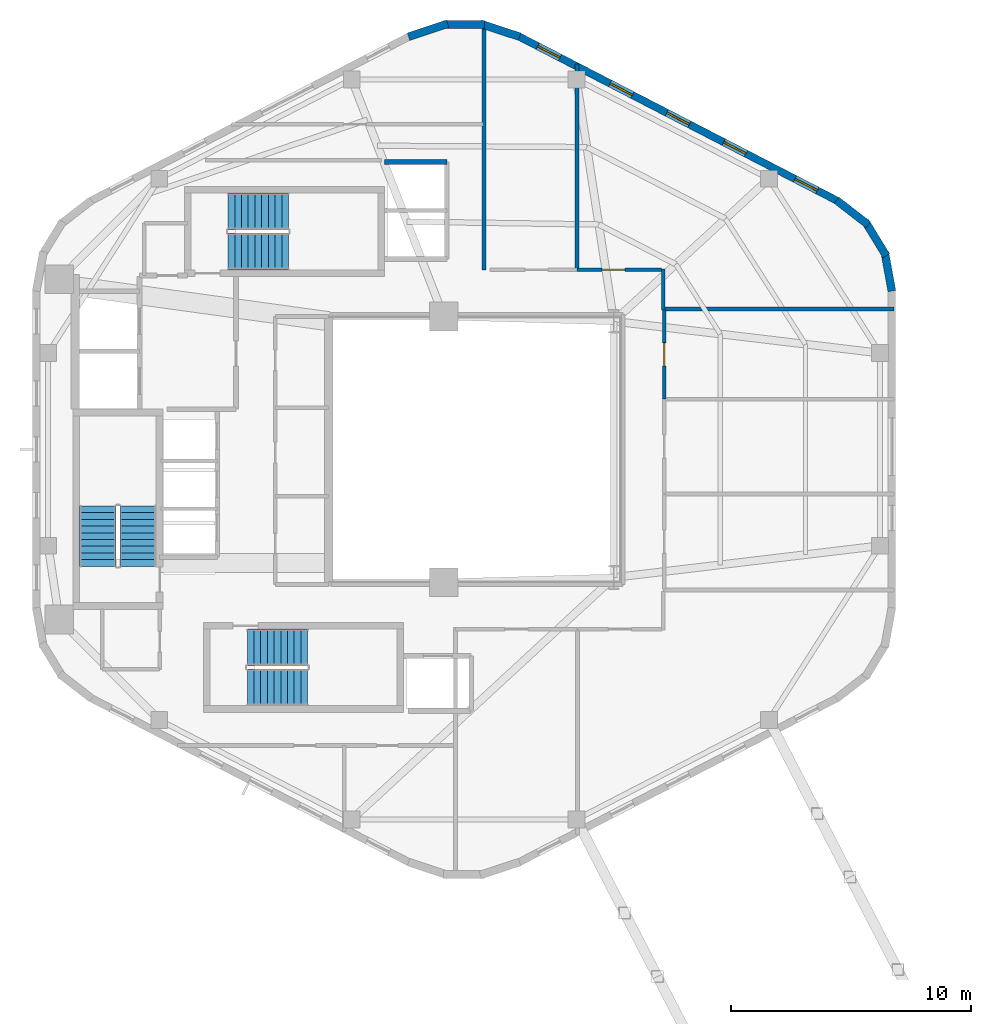
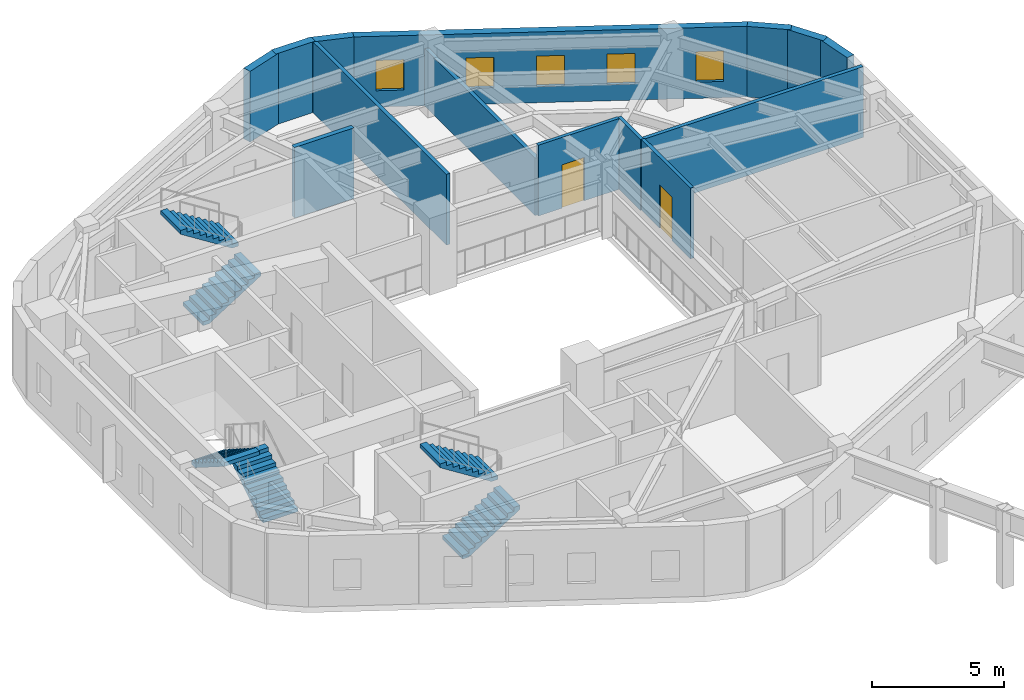
# One storey, part 5 of 6: 14 walls, 6 stair flights, 5 windows, 2 doors, 7 openings, 3 elements without a shape of their own.
"""IFC4 building model written with IfcOpenShell, lengths in metres."""

import ifcopenshell
import ifcopenshell.guid

model = None  # the IFC model being written
_history = None  # IfcOwnerHistory: only IFC2X3 demands one
_inside = {}  # id of a spatial element -> (the spatial element, [elements in it])
_under = {}  # id of a project, library or spatial element -> (it, [spatial elements below it])
_declared = {}  # id of a project -> (the project, [libraries it declares])
_typed = {}  # id of a type object -> (the type object, [elements of that type])
_made_of = {}  # id of a material, layer set ... -> (it, [elements and type objects made of it])


def new_model(schema):
    """Start an empty IFC model of exactly this schema.

    Asked for "IFC4X3", IfcOpenShell would pick the latest addendum, in which some entities
    have other attributes; the version numbers below select the first issue.
    IFC2X3 requires an IfcOwnerHistory on every rooted entity: one is made here for all.
    """
    global model, _history
    if schema == "IFC4X3":
        model = ifcopenshell.file(schema_version=(4, 3, 0, 0))
    else:
        model = ifcopenshell.file(schema=schema)
    _inside.clear()
    _under.clear()
    _declared.clear()
    _typed.clear()
    _made_of.clear()
    _history = None
    if model.schema == "IFC2X3":
        org = make("IfcOrganization", Name="unknown")
        user = make(
            "IfcPersonAndOrganization",
            ThePerson=make("IfcPerson", FamilyName="unknown"),
            TheOrganization=org,
        )
        app = make(
            "IfcApplication",
            ApplicationDeveloper=org,
            Version="unknown",
            ApplicationFullName="unknown",
            ApplicationIdentifier="unknown",
        )
        _history = make(
            "IfcOwnerHistory",
            OwningUser=user,
            OwningApplication=app,
            ChangeAction="ADDED",
            CreationDate=0,
        )
    return model


def make(cls, **values):
    """One entity of the class cls with the attributes given. An attribute that is None is left unset."""
    return model.create_entity(
        cls, **{name: value for name, value in values.items() if value is not None}
    )


def rooted(cls, **values):
    """An entity with a GlobalId (a new one), such as an element, a storey or a relation."""
    return make(cls, GlobalId=ifcopenshell.guid.new(), OwnerHistory=_history, **values)


def si_unit(unit_type, name, prefix=None):
    """IfcSIUnit, for example si_unit("LENGTHUNIT", "METRE", prefix="MILLI")."""
    return make("IfcSIUnit", UnitType=unit_type, Prefix=prefix, Name=name)


def assignment(units):
    """IfcUnitAssignment: the units of a project."""
    return None if units is None else make("IfcUnitAssignment", Units=units)


def point(xyz):
    """IfcCartesianPoint."""
    return None if xyz is None else make("IfcCartesianPoint", Coordinates=xyz)


def direction(xyz):
    """IfcDirection."""
    return None if xyz is None else make("IfcDirection", DirectionRatios=xyz)


def frame(location, z_axis=None, x_axis=None):
    """IfcAxis2Placement3D, a coordinate frame: its origin and axes. An axis left out is left unset."""
    return make(
        "IfcAxis2Placement3D",
        Location=point(location),
        Axis=direction(z_axis),
        RefDirection=direction(x_axis),
    )


def frame_2d(location, x_axis=None):
    """IfcAxis2Placement2D, a coordinate frame in the plane: its origin and x axis."""
    return make(
        "IfcAxis2Placement2D", Location=point(location), RefDirection=direction(x_axis)
    )


def origin():
    """The frame at (0, 0, 0) with its axes left unset."""
    return frame((0.0, 0.0, 0.0))


def place(relative_to, where):
    """IfcLocalPlacement: puts the frame where relative to a parent placement (None: the world)."""
    return make(
        "IfcLocalPlacement", PlacementRelTo=relative_to, RelativePlacement=where
    )


def context(
    kind, dimensions, precision=None, world=None, true_north=None, identifier=None
):
    """IfcGeometricRepresentationContext, for example the 3D "Model" context."""
    return make(
        "IfcGeometricRepresentationContext",
        ContextIdentifier=identifier,
        ContextType=kind,
        CoordinateSpaceDimension=dimensions,
        Precision=precision,
        WorldCoordinateSystem=world,
        TrueNorth=true_north,
    )


def subcontext(parent, identifier, kind, view, scale=None):
    """IfcGeometricRepresentationSubContext, for example "Body" below "Model"."""
    return make(
        "IfcGeometricRepresentationSubContext",
        ContextIdentifier=identifier,
        ContextType=kind,
        ParentContext=parent,
        TargetScale=scale,
        TargetView=view,
    )


def project(units=None, contexts=None):
    """IfcProject with its units and contexts."""
    return rooted(
        "IfcProject",
        Name="project",
        RepresentationContexts=contexts,
        UnitsInContext=assignment(units),
    )


def spatial(cls, under=None, at=None, **own):
    """A site, building, storey or space (cls), placed at a placement, below another one or the project."""
    s = rooted(cls, ObjectPlacement=at, **own)
    if under is not None:
        _under.setdefault(under.id(), (under, []))[1].append(s)
    return s


def polyline(points):
    """IfcPolyline through the points."""
    return make("IfcPolyline", Points=[point(p) for p in points])


def profile(cls, at=None, kind="AREA", **sizes):
    """A parametric profile (cls). Its sizes go by their IFC names, for example OverallWidth=200.0."""
    return make(cls, ProfileType=kind, Position=at, **sizes)


def rectangle(**sizes):
    """IfcRectangleProfileDef."""
    return profile("IfcRectangleProfileDef", **sizes)


def outline(outer, holes=None, kind="AREA"):
    """IfcArbitraryClosedProfileDef: a profile drawn as a closed curve; with holes, ...WithVoids."""
    if holes is None:
        return make("IfcArbitraryClosedProfileDef", ProfileType=kind, OuterCurve=outer)
    return make(
        "IfcArbitraryProfileDefWithVoids",
        ProfileType=kind,
        OuterCurve=outer,
        InnerCurves=holes,
    )


def extrude(swept, where, along, depth):
    """IfcExtrudedAreaSolid: the profile swept, set in the frame where, extruded along a direction by depth."""
    return make(
        "IfcExtrudedAreaSolid",
        SweptArea=swept,
        Position=where,
        ExtrudedDirection=direction(along),
        Depth=depth,
    )


def shape(context_of_items, identifier, shape_type, items):
    """IfcShapeRepresentation: the items that make up one representation, for example the "Body"."""
    return make(
        "IfcShapeRepresentation",
        ContextOfItems=context_of_items,
        RepresentationIdentifier=identifier,
        RepresentationType=shape_type,
        Items=items,
    )


def material(Name=None, Category=None):
    """IfcMaterial."""
    return make("IfcMaterial", Name=Name, Category=Category)


def layer(
    of_material, thickness, ventilated=None, Name=None, Category=None, Priority=None
):
    """IfcMaterialLayer: one layer of a wall or slab, of a material (None: an air gap)."""
    return make(
        "IfcMaterialLayer",
        Material=of_material,
        LayerThickness=thickness,
        IsVentilated=ventilated,
        Name=Name,
        Category=Category,
        Priority=Priority,
    )


def layer_set(layers, Name=None):
    """IfcMaterialLayerSet."""
    return make("IfcMaterialLayerSet", MaterialLayers=layers, LayerSetName=Name)


def made_of(thing, what):
    """Note that an element or type object is made of a material, layer set ...; save() writes the relation."""
    if what is not None:
        _made_of.setdefault(what.id(), (what, []))[1].append(thing)
    return thing


def type_object(cls, material=None, **own):
    """A type object (cls), such as IfcWallType, which elements share."""
    return made_of(rooted(cls, **own), material)


def element(
    cls,
    number,
    at=None,
    inside=None,
    cuts=None,
    type_object=None,
    material=None,
    context=None,
    identifier="Body",
    shape_type=None,
    held_by="IfcProductDefinitionShape",
    body=None,
    shapes=None,
    **own,
):
    """One element of the class cls, such as IfcWall. Its Tag is "e" and its number.

    at: its placement. inside: the storey or other place that contains it. cuts: it is an
    opening in that element (IfcRelVoidsElement). A single representation is given by context,
    identifier, shape_type and body (its items); several are given by shapes. held_by: the class
    of the entity that holds the representations. save() writes the other relations.
    """
    e = rooted(cls, Tag="e%d" % number, ObjectPlacement=at, **own)
    if body is not None:
        shapes = [shape(context, identifier, shape_type, body)]
    if shapes is not None:
        e.Representation = make(held_by, Representations=shapes)
    if inside is not None:
        _inside.setdefault(inside.id(), (inside, []))[1].append(e)
    if cuts is not None:
        rooted(
            "IfcRelVoidsElement", RelatingBuildingElement=cuts, RelatedOpeningElement=e
        )
    if type_object is not None:
        _typed.setdefault(type_object.id(), (type_object, []))[1].append(e)
    return made_of(e, material)


def fill(opening, filler):
    """IfcRelFillsElement: the door or window that sits in an opening."""
    return rooted(
        "IfcRelFillsElement",
        RelatingOpeningElement=opening,
        RelatedBuildingElement=filler,
    )


def aggregate(whole, parts):
    """IfcRelAggregates: a whole, such as a stair, and the parts it consists of."""
    return rooted("IfcRelAggregates", RelatingObject=whole, RelatedObjects=parts)


def save(model, path):
    """Write the relations noted so far, then the file.

    IfcRelAggregates (storeys below a building ...), IfcRelContainedInSpatialStructure (elements
    in a storey), IfcRelDefinesByType, IfcRelAssociatesMaterial and IfcRelDeclares: one each for
    every whole, place, type object, material and project.
    """
    for whole, parts in _under.values():
        aggregate(whole, parts)
    for where, things in _inside.values():
        rooted(
            "IfcRelContainedInSpatialStructure",
            RelatedElements=things,
            RelatingStructure=where,
        )
    for kind, things in _typed.values():
        rooted("IfcRelDefinesByType", RelatedObjects=things, RelatingType=kind)
    for what, things in _made_of.values():
        rooted("IfcRelAssociatesMaterial", RelatedObjects=things, RelatingMaterial=what)
    for by, libraries in _declared.values():
        rooted("IfcRelDeclares", RelatingContext=by, RelatedDefinitions=libraries)
    model.write(path)


model = new_model("IFC4")

# Units and contexts
model_context = context("Model", 3, precision=1e-05, world=origin(), true_north=direction((0.0, 1.0)))
body_context = subcontext(model_context, "Body", "Model", "MODEL_VIEW")
ifc_project = project(units=[si_unit("LENGTHUNIT", "METRE"), si_unit("AREAUNIT", "SQUARE_METRE"), si_unit("VOLUMEUNIT", "CUBIC_METRE"), si_unit("PLANEANGLEUNIT", "RADIAN"), si_unit("MASSUNIT", "GRAM", prefix="KILO"), si_unit("THERMODYNAMICTEMPERATUREUNIT", "KELVIN"), si_unit("POWERUNIT", "WATT")], contexts=[model_context])

# Site, building, storey
site_placement = place(None, origin())
site = spatial("IfcSite", under=ifc_project, at=site_placement, CompositionType="ELEMENT")
building_placement = place(site_placement, origin())
building = spatial("IfcBuilding", under=site, at=building_placement, Name="Skarre Station Tower", CompositionType="ELEMENT")
storey_placement = place(building_placement, frame((0.0, 0.0, 231.25)))
storey = spatial("IfcBuildingStorey", under=building, at=storey_placement, Name="L63", CompositionType="ELEMENT", Elevation=231.25)

# Wall
ifc_material_1 = material(Name="Acoustic Steel-Stud Gypsum Partition", Category="steel")
ifc_layer_1 = layer(ifc_material_1, 0.14990234375, Name="Acoustic Steel-Stud Gypsum Partition")
ifc_layer_set_1 = layer_set([ifc_layer_1], Name="Acoustic Steel-Stud Gypsum Partition")
wall_type_1 = type_object("IfcWallType", Name="Fire-Rated Corridor Acoustic Partition 150", PredefinedType="PARTITIONING", material=ifc_layer_set_1)
wall_1_placement = place(storey_placement, frame((41.52001953125, 29.820068359375, 0.0), z_axis=(0.0, 0.0, 1.0), x_axis=(0.0, 1.0, 0.0)))
element("IfcWall", 1, at=wall_1_placement, inside=storey, type_object=wall_type_1, Name="L63 Interior Partition WL-PT-L63-CORR-NER", PredefinedType="PARTITIONING", context=body_context, shape_type="SweptSolid", body=[
    extrude(rectangle(XDim=1.719970703125, YDim=0.14990234375, at=frame_2d((0.85986328125, 0.0))), origin(), (0.0, 0.0, 1.0), 3.260009765625),
])

# Wall, opening, door
wall_2_placement = place(storey_placement, frame((41.449951171875, 31.5, 0.0), z_axis=(0.0, 0.0, 1.0), x_axis=(-1.0, 0.0, 0.0)))
wall_2 = element("IfcWall", 2, at=wall_2_placement, inside=storey, type_object=wall_type_1, Name="L63 Interior Partition WL-PT-L63-NW2-CW", PredefinedType="PARTITIONING", context=body_context, shape_type="SweptSolid", body=[
    extrude(rectangle(XDim=3.52783203125, YDim=0.14990234375, at=frame_2d((1.763916015625, 0.0))), origin(), (0.0, 0.0, 1.0), 3.260009765625),
])
opening_1_placement = place(wall_2_placement, frame((1.52392578125, 0.0, 0.0)))
opening_1 = element("IfcOpeningElement", 3, at=opening_1_placement, cuts=wall_2, Name="Opening DR-FD60", PredefinedType="OPENING", context=body_context, shape_type="SweptSolid", body=[
    extrude(rectangle(XDim=0.9599609375, YDim=2.0, at=frame_2d((0.47998046875, 1.0))), frame((0.0, 0.0849609375, 0.0), z_axis=(0.0, -1.0, 0.0), x_axis=(1.0, 0.0, 0.0)), (0.0, 0.0, 1.0), 0.169921875),
])
ifc_material_2 = material(Name="Nordic White-Oak Veneer Solid-Core Fire Leaf", Category="wood")
door_type = type_object("IfcDoorType", Name="Corridor Suite Entry Fire Door FD60 960x2150", OperationType="SINGLE_SWING_LEFT", PredefinedType="DOOR", material=ifc_material_2)
door_1_placement = place(opening_1_placement, origin())
door_1 = element("IfcDoor", 4, at=door_1_placement, inside=storey, type_object=door_type, Name="L63 NW2 Entry Door", OperationType="SINGLE_SWING_LEFT", OverallHeight=2.0, OverallWidth=0.9599609375, PredefinedType="DOOR", context=body_context, shape_type="SweptSolid", body=[
    extrude(rectangle(XDim=0.9599609375, YDim=2.0, at=frame_2d((0.47998046875, 1.0))), frame((0.0, 0.02490234375, 0.0), z_axis=(0.0, -1.0, 0.0), x_axis=(1.0, 0.0, 0.0)), (0.0, 0.0, 1.0), 0.050048828125),
])
fill(opening_1, door_1)

wall_3_placement = place(storey_placement, frame((41.56005859375, 26.113037109375, 0.0), z_axis=(0.0, 0.0, 1.0), x_axis=(0.0, 1.0, 0.0)))
wall_3 = element("IfcWall", 5, at=wall_3_placement, inside=storey, type_object=wall_type_1, Name="L63 Interior Partition WL-PT-L63-EW3-CW", PredefinedType="PARTITIONING", context=body_context, shape_type="SweptSolid", body=[
    extrude(rectangle(XDim=3.70703125, YDim=0.14990234375, at=frame_2d((1.853515625, 0.0))), origin(), (0.0, 0.0, 1.0), 3.260009765625),
])
opening_2_placement = place(wall_3_placement, frame((1.3740234375, 0.0, 0.0)))
opening_2 = element("IfcOpeningElement", 6, at=opening_2_placement, cuts=wall_3, Name="Opening DR-FD60", PredefinedType="OPENING", context=body_context, shape_type="SweptSolid", body=[
    extrude(rectangle(XDim=0.9599609375, YDim=2.0, at=frame_2d((0.47998046875, 1.0))), frame((0.0, 0.0849609375, 0.0), z_axis=(0.0, -1.0, 0.0), x_axis=(1.0, 0.0, 0.0)), (0.0, 0.0, 1.0), 0.169921875),
])
door_2_placement = place(opening_2_placement, origin())
door_2 = element("IfcDoor", 7, at=door_2_placement, inside=storey, type_object=door_type, Name="L63 EW3 Entry Door", OperationType="SINGLE_SWING_LEFT", OverallHeight=2.0, OverallWidth=0.9599609375, PredefinedType="DOOR", context=body_context, shape_type="SweptSolid", body=[
    extrude(rectangle(XDim=0.9599609375, YDim=2.0, at=frame_2d((0.47998046875, 1.0))), frame((0.0, 0.02490234375, 0.0), z_axis=(0.0, -1.0, 0.0), x_axis=(1.0, 0.0, 0.0)), (0.0, 0.0, 1.0), 0.050048828125),
])
fill(opening_2, door_2)

# Walls
ifc_material_3 = material(Name="Precast concrete C45/55", Category="concrete")
ifc_layer_2 = layer(ifc_material_3, 0.330078125, Name="Precast concrete C45/55")
ifc_layer_set_2 = layer_set([ifc_layer_2], Name="Precast concrete C45/55")
wall_type_2 = type_object("IfcWallType", Name="Nordic Rounded Corner Precast Wall 330", PredefinedType="STANDARD", material=ifc_layer_set_2)
wall_4_placement = place(storey_placement, frame((48.7529296875, 34.40087890625, 0.0), z_axis=(0.0, 0.0, 1.0), x_axis=(0.790691856293, -0.61221433207, 0.0)))
element("IfcWall", 8, at=wall_4_placement, inside=storey, type_object=wall_type_2, Name="L63 Rounded Corner Precast Wall F0-1", PredefinedType="STANDARD", context=body_context, shape_type="SweptSolid", body=[
    extrude(rectangle(XDim=1.67578125, YDim=0.330078125, at=frame_2d((0.837890625, 0.0))), origin(), (0.0, 0.0, 1.0), 3.260009765625),
])
wall_5_placement = place(storey_placement, frame((49.952880859375, 33.514892578125, 0.0), z_axis=(0.0, 0.0, 1.0), x_axis=(0.520325409202, -0.853968072318, 0.0)))
element("IfcWall", 9, at=wall_5_placement, inside=storey, type_object=wall_type_2, Name="L63 Rounded Corner Precast Wall F0-2", PredefinedType="STANDARD", context=body_context, shape_type="SweptSolid", body=[
    extrude(rectangle(XDim=1.677978515625, YDim=0.330078125, at=frame_2d((0.8388671875, 0.0))), origin(), (0.0, 0.0, 1.0), 3.260009765625),
])
wall_6_placement = place(storey_placement, frame((50.759033203125, 32.257080078125, 0.0), z_axis=(0.0, 0.0, 1.0), x_axis=(0.180691763044, -0.983539773862, 0.0)))
element("IfcWall", 10, at=wall_6_placement, inside=storey, type_object=wall_type_2, Name="L63 Rounded Corner Precast Wall F0-3", PredefinedType="STANDARD", context=body_context, shape_type="SweptSolid", body=[
    extrude(rectangle(XDim=1.6767578125, YDim=0.330078125, at=frame_2d((0.83837890625, 0.0))), origin(), (0.0, 0.0, 1.0), 3.260009765625),
])
wall_7_placement = place(storey_placement, frame((30.882080078125, 41.23095703125, 0.0), z_axis=(0.0, 0.0, 1.0), x_axis=(0.949713440491, 0.313120393699, 0.0)))
element("IfcWall", 11, at=wall_7_placement, inside=storey, type_object=wall_type_2, Name="L63 Rounded Corner Precast Wall F1-1", PredefinedType="STANDARD", context=body_context, shape_type="SweptSolid", body=[
    extrude(rectangle(XDim=1.7216796875, YDim=0.330078125, at=frame_2d((0.86083984375, 0.0))), origin(), (0.0, 0.0, 1.0), 3.260009765625),
])
wall_8_placement = place(storey_placement, frame((32.339111328125, 41.740966796875, 0.0), z_axis=(0.0, 0.0, 1.0), x_axis=(1.0, 0.0, 0.0)))
element("IfcWall", 12, at=wall_8_placement, inside=storey, type_object=wall_type_2, Name="L63 Rounded Corner Precast Wall F1-2", PredefinedType="STANDARD", context=body_context, shape_type="SweptSolid", body=[
    extrude(rectangle(XDim=1.721923828125, YDim=0.330078125, at=frame_2d((0.86083984375, 0.0))), origin(), (0.0, 0.0, 1.0), 3.260009765625),
])
wall_9_placement = place(storey_placement, frame((33.883056640625, 41.77001953125, 0.0), z_axis=(0.0, 0.0, 1.0), x_axis=(0.949713440491, -0.313120393699, 0.0)))
element("IfcWall", 13, at=wall_9_placement, inside=storey, type_object=wall_type_2, Name="L63 Rounded Corner Precast Wall F1-3", PredefinedType="STANDARD", context=body_context, shape_type="SweptSolid", body=[
    extrude(rectangle(XDim=1.7216796875, YDim=0.330078125, at=frame_2d((0.86083984375, 0.0))), origin(), (0.0, 0.0, 1.0), 3.260009765625),
])

# Wall, openings, windows
ifc_layer_3 = layer(ifc_material_3, 0.31005859375, Name="Precast concrete C45/55")
ifc_layer_set_3 = layer_set([ifc_layer_3], Name="Precast concrete C45/55")
wall_type_3 = type_object("IfcWallType", Name="Nordic Upper-Zone Precast Facet Wall 310", PredefinedType="STANDARD", material=ifc_layer_set_3)
wall_10_placement = place(storey_placement, frame((35.43701171875, 41.27001953125, 0.0), z_axis=(0.0, 0.0, 1.0), x_axis=(0.888581481622, -0.458718814218, 0.0)))
wall_10 = element("IfcWall", 14, at=wall_10_placement, inside=storey, type_object=wall_type_3, Name="L63 Facet 0 Nordic Precast Masonry Wall", PredefinedType="STANDARD", context=body_context, shape_type="SweptSolid", body=[
    extrude(rectangle(XDim=15.076904296875, YDim=0.31005859375, at=frame_2d((7.53857421875, 0.0))), origin(), (0.0, 0.0, 1.0), 3.260009765625),
])
opening_3_placement = place(wall_10_placement, frame((0.94189453125, 0.0, 0.75)))
opening_3 = element("IfcOpeningElement", 15, at=opening_3_placement, cuts=wall_10, Name="Opening WN-SLT", PredefinedType="OPENING", context=body_context, shape_type="SweptSolid", body=[
    extrude(rectangle(XDim=1.050048828125, YDim=1.39990234375, at=frame_2d((0.52490234375, 0.699951171875))), frame((0.0, 0.1650390625, 0.0), z_axis=(0.0, -1.0, 0.0), x_axis=(1.0, 0.0, 0.0)), (0.0, 0.0, 1.0), 0.330078125),
])
opening_4_placement = place(wall_10_placement, frame((4.343994140625, 0.0, 0.75)))
opening_4 = element("IfcOpeningElement", 16, at=opening_4_placement, cuts=wall_10, Name="Opening WN-SLT", PredefinedType="OPENING", context=body_context, shape_type="SweptSolid", body=[
    extrude(rectangle(XDim=1.050048828125, YDim=1.39990234375, at=frame_2d((0.52490234375, 0.699951171875))), frame((0.0, 0.1650390625, 0.0), z_axis=(0.0, -1.0, 0.0), x_axis=(1.0, 0.0, 0.0)), (0.0, 0.0, 1.0), 0.330078125),
])
opening_5_placement = place(wall_10_placement, frame((7.012939453125, 0.0, 0.75)))
opening_5 = element("IfcOpeningElement", 17, at=opening_5_placement, cuts=wall_10, Name="Opening WN-SLT", PredefinedType="OPENING", context=body_context, shape_type="SweptSolid", body=[
    extrude(rectangle(XDim=1.050048828125, YDim=1.39990234375, at=frame_2d((0.52490234375, 0.699951171875))), frame((0.0, 0.1650390625, 0.0), z_axis=(0.0, -1.0, 0.0), x_axis=(1.0, 0.0, 0.0)), (0.0, 0.0, 1.0), 0.330078125),
])
opening_6_placement = place(wall_10_placement, frame((9.680908203125, 0.0, 0.75)))
opening_6 = element("IfcOpeningElement", 18, at=opening_6_placement, cuts=wall_10, Name="Opening WN-SLT", PredefinedType="OPENING", context=body_context, shape_type="SweptSolid", body=[
    extrude(rectangle(XDim=1.050048828125, YDim=1.39990234375, at=frame_2d((0.52490234375, 0.699951171875))), frame((0.0, 0.1650390625, 0.0), z_axis=(0.0, -1.0, 0.0), x_axis=(1.0, 0.0, 0.0)), (0.0, 0.0, 1.0), 0.330078125),
])
opening_7_placement = place(wall_10_placement, frame((13.029052734375, 0.0, 0.75)))
opening_7 = element("IfcOpeningElement", 19, at=opening_7_placement, cuts=wall_10, Name="Opening WN-SLT", PredefinedType="OPENING", context=body_context, shape_type="SweptSolid", body=[
    extrude(rectangle(XDim=1.050048828125, YDim=1.39990234375, at=frame_2d((0.52490234375, 0.699951171875))), frame((0.0, 0.1650390625, 0.0), z_axis=(0.0, -1.0, 0.0), x_axis=(1.0, 0.0, 0.0)), (0.0, 0.0, 1.0), 0.330078125),
])
ifc_material_4 = material(Name="Low-Iron Triple Glazing with Bronze Anodized Frame", Category="glass")
window_type = type_object("IfcWindowType", Name="Nordic Corner Slot Window 1050x1400", PartitioningType="SINGLE_PANEL", PredefinedType="WINDOW", material=ifc_material_4)
window_1_placement = place(opening_3_placement, origin())
window_1 = element("IfcWindow", 20, at=window_1_placement, inside=storey, type_object=window_type, Name="L63 Facade Window WL-FAC-L63-F0-1", OverallHeight=1.39990234375, OverallWidth=1.050048828125, PartitioningType="SINGLE_PANEL", PredefinedType="WINDOW", context=body_context, shape_type="SweptSolid", body=[
    extrude(rectangle(XDim=1.050048828125, YDim=1.39990234375, at=frame_2d((0.52490234375, 0.699951171875))), frame((0.0, 0.030029296875, 0.0), z_axis=(0.0, -1.0, 0.0), x_axis=(1.0, 0.0, 0.0)), (0.0, 0.0, 1.0), 0.06005859375),
])
fill(opening_3, window_1)
window_2_placement = place(opening_4_placement, origin())
window_2 = element("IfcWindow", 21, at=window_2_placement, inside=storey, type_object=window_type, Name="L63 Facade Window WL-FAC-L63-F0-2", OverallHeight=1.39990234375, OverallWidth=1.050048828125, PartitioningType="SINGLE_PANEL", PredefinedType="WINDOW", context=body_context, shape_type="SweptSolid", body=[
    extrude(rectangle(XDim=1.050048828125, YDim=1.39990234375, at=frame_2d((0.52490234375, 0.699951171875))), frame((0.0, 0.030029296875, 0.0), z_axis=(0.0, -1.0, 0.0), x_axis=(1.0, 0.0, 0.0)), (0.0, 0.0, 1.0), 0.06005859375),
])
fill(opening_4, window_2)
window_3_placement = place(opening_5_placement, origin())
window_3 = element("IfcWindow", 22, at=window_3_placement, inside=storey, type_object=window_type, Name="L63 Facade Window WL-FAC-L63-F0-3", OverallHeight=1.39990234375, OverallWidth=1.050048828125, PartitioningType="SINGLE_PANEL", PredefinedType="WINDOW", context=body_context, shape_type="SweptSolid", body=[
    extrude(rectangle(XDim=1.050048828125, YDim=1.39990234375, at=frame_2d((0.52490234375, 0.699951171875))), frame((0.0, 0.030029296875, 0.0), z_axis=(0.0, -1.0, 0.0), x_axis=(1.0, 0.0, 0.0)), (0.0, 0.0, 1.0), 0.06005859375),
])
fill(opening_5, window_3)
window_4_placement = place(opening_6_placement, origin())
window_4 = element("IfcWindow", 23, at=window_4_placement, inside=storey, type_object=window_type, Name="L63 Facade Window WL-FAC-L63-F0-4", OverallHeight=1.39990234375, OverallWidth=1.050048828125, PartitioningType="SINGLE_PANEL", PredefinedType="WINDOW", context=body_context, shape_type="SweptSolid", body=[
    extrude(rectangle(XDim=1.050048828125, YDim=1.39990234375, at=frame_2d((0.52490234375, 0.699951171875))), frame((0.0, 0.030029296875, 0.0), z_axis=(0.0, -1.0, 0.0), x_axis=(1.0, 0.0, 0.0)), (0.0, 0.0, 1.0), 0.06005859375),
])
fill(opening_6, window_4)
window_5_placement = place(opening_7_placement, origin())
window_5 = element("IfcWindow", 24, at=window_5_placement, inside=storey, type_object=window_type, Name="L63 Facade Window WL-FAC-L63-F0-5", OverallHeight=1.39990234375, OverallWidth=1.050048828125, PartitioningType="SINGLE_PANEL", PredefinedType="WINDOW", context=body_context, shape_type="SweptSolid", body=[
    extrude(rectangle(XDim=1.050048828125, YDim=1.39990234375, at=frame_2d((0.52490234375, 0.699951171875))), frame((0.0, 0.030029296875, 0.0), z_axis=(0.0, -1.0, 0.0), x_axis=(1.0, 0.0, 0.0)), (0.0, 0.0, 1.0), 0.06005859375),
])
fill(opening_7, window_5)

# Walls
ifc_material_5 = material(Name="Gypsum Concrete Shaft Assembly C30/37", Category="concrete")
ifc_layer_4 = layer(ifc_material_5, 0.199951171875, Name="Gypsum Concrete Shaft Assembly C30/37")
ifc_layer_set_4 = layer_set([ifc_layer_4], Name="Gypsum Concrete Shaft Assembly C30/37")
wall_type_4 = type_object("IfcWallType", Name="Shaft & Core Fire Partition 200", PredefinedType="PARTITIONING", material=ifc_layer_set_4)
wall_11_placement = place(storey_placement, frame((29.8798828125, 36.0, 0.0), z_axis=(0.0, 0.0, 1.0), x_axis=(1.0, 0.0, 0.0)))
element("IfcWall", 25, at=wall_11_placement, inside=storey, type_object=wall_type_4, Name="L63 Interior Partition WL-PT-L63-EX-N", PredefinedType="PARTITIONING", context=body_context, shape_type="SweptSolid", body=[
    extrude(rectangle(XDim=2.60009765625, YDim=0.199951171875, at=frame_2d((1.300048828125, 0.0))), origin(), (0.0, 0.0, 1.0), 3.260009765625),
])
ifc_layer_5 = layer(ifc_material_1, 0.1650390625, Name="Acoustic Steel-Stud Gypsum Partition")
ifc_layer_set_5 = layer_set([ifc_layer_5], Name="Acoustic Steel-Stud Gypsum Partition")
wall_type_5 = type_object("IfcWallType", Name="Suite Demising Acoustic Partition 165", PredefinedType="PARTITIONING", material=ifc_layer_set_5)
wall_12_placement = place(storey_placement, frame((34.0400390625, 31.5, 0.0), z_axis=(0.0, 0.0, 1.0), x_axis=(0.0, 1.0, 0.0)))
element("IfcWall", 26, at=wall_12_placement, inside=storey, type_object=wall_type_5, Name="L63 Interior Partition WL-PT-L63-NW-WBND", PredefinedType="PARTITIONING", context=body_context, shape_type="SweptSolid", body=[
    extrude(rectangle(XDim=10.318115234375, YDim=0.1650390625, at=frame_2d((5.1591796875, 0.0))), origin(), (0.0, 0.0, 1.0), 3.260009765625),
])
wall_13_placement = place(storey_placement, frame((37.9169921875, 31.510009765625, 0.0), z_axis=(0.0, 0.0, 1.0), x_axis=(0.0, 1.0, 0.0)))
element("IfcWall", 27, at=wall_13_placement, inside=storey, type_object=wall_type_5, Name="L63 Interior Partition WL-PT-L63-NW-P1", PredefinedType="PARTITIONING", context=body_context, shape_type="SweptSolid", body=[
    extrude(rectangle(XDim=8.575927734375, YDim=0.1650390625, at=frame_2d((4.2880859375, 0.0))), origin(), (0.0, 0.0, 1.0), 2.64892578125),
])
wall_14_placement = place(storey_placement, frame((41.52001953125, 29.860107421875, 0.0), z_axis=(0.0, 0.0, 1.0), x_axis=(1.0, 0.0, 0.0)))
element("IfcWall", 28, at=wall_14_placement, inside=storey, type_object=wall_type_5, Name="L63 Interior Partition WL-PT-L63-EWB-N", PredefinedType="PARTITIONING", context=body_context, shape_type="SweptSolid", body=[
    extrude(rectangle(XDim=9.623046875, YDim=0.1650390625, at=frame_2d((4.8115234375, 0.0))), origin(), (0.0, 0.0, 1.0), 3.260009765625),
])

# Stair, stair flights
ifc_material_6 = material(Name="Concrete C40/50", Category="concrete")
stair_type_1 = type_object("IfcStairType", Name="Reinforced Concrete Exit Stair ST-1", PredefinedType="HALF_TURN_STAIR", material=ifc_material_6)
stair_1_placement = place(storey_placement, origin())
stair_1 = element("IfcStair", 29, at=stair_1_placement, inside=storey, type_object=stair_type_1, Name="L63 Core Exit Stair ST-1", PredefinedType="HALF_TURN_STAIR")
stair_flight_type_1 = type_object("IfcStairFlightType", Name="Reinforced Concrete Stair Flight ST-1", PredefinedType="STRAIGHT", material=ifc_material_6)
stair_flight_1_placement = place(storey_placement, frame((19.590087890625, 19.1201171875, 0.0), z_axis=(0.0, 0.0, 1.0), x_axis=(0.0, 1.0, 0.0)))
stair_flight_1 = element("IfcStairFlight", 30, at=stair_flight_1_placement, type_object=stair_flight_type_1, Name="ST-1 flight 1", NumberOfRisers=10, NumberOfTreads=9, PredefinedType="STRAIGHT", RiserHeight=0.1775, TreadLength=0.28, context=body_context, shape_type="SweptSolid", body=[
    extrude(outline(polyline([(0.0, 0.0), (0.0, 0.177490234375), (0.280029296875, 0.177490234375), (0.280029296875, 0.35498046875), (0.56005859375, 0.35498046875), (0.56005859375, 0.532470703125), (0.840087890625, 0.532470703125), (0.840087890625, 0.7099609375), (1.1201171875, 0.7099609375), (1.1201171875, 0.887451171875), (1.39990234375, 0.887451171875), (1.39990234375, 1.06494140625), (1.679931640625, 1.06494140625), (1.679931640625, 1.242431640625), (1.9599609375, 1.242431640625), (1.9599609375, 1.419921875), (2.239990234375, 1.419921875), (2.239990234375, 1.597412109375), (2.52001953125, 1.597412109375), (2.52001953125, 1.77490234375), (2.52001953125, 1.419921875), (0.280029296875, 0.0), (0.0, 0.0)])), frame((0.0, 0.760009765625, 0.0), z_axis=(0.0, -1.0, 0.0), x_axis=(1.0, 0.0, 0.0)), (0.0, 0.0, 1.0), 1.52001953125),
])
stair_flight_2_placement = place(storey_placement, frame((17.909912109375, 21.639892578125, 1.77490234375), z_axis=(0.0, 0.0, 1.0), x_axis=(0.0, -1.0, 0.0)))
stair_flight_2 = element("IfcStairFlight", 31, at=stair_flight_2_placement, type_object=stair_flight_type_1, Name="ST-1 flight 2", NumberOfRisers=10, NumberOfTreads=9, PredefinedType="STRAIGHT", RiserHeight=0.1775, TreadLength=0.28, context=body_context, shape_type="SweptSolid", body=[
    extrude(outline(polyline([(0.0, 0.0), (0.0, 0.177490234375), (0.280029296875, 0.177490234375), (0.280029296875, 0.35498046875), (0.56005859375, 0.35498046875), (0.56005859375, 0.532470703125), (0.840087890625, 0.532470703125), (0.840087890625, 0.7099609375), (1.1201171875, 0.7099609375), (1.1201171875, 0.887451171875), (1.39990234375, 0.887451171875), (1.39990234375, 1.06494140625), (1.679931640625, 1.06494140625), (1.679931640625, 1.242431640625), (1.9599609375, 1.242431640625), (1.9599609375, 1.419921875), (2.239990234375, 1.419921875), (2.239990234375, 1.597412109375), (2.52001953125, 1.597412109375), (2.52001953125, 1.77490234375), (2.52001953125, 1.419921875), (0.280029296875, 0.0), (0.0, 0.0)])), frame((0.0, 0.760009765625, 0.0), z_axis=(0.0, -1.0, 0.0), x_axis=(1.0, 0.0, 0.0)), (0.0, 0.0, 1.0), 1.52001953125),
])
aggregate(stair_1, [stair_flight_1, stair_flight_2])

stair_type_2 = type_object("IfcStairType", Name="Reinforced Concrete Exit Stair ST-2", PredefinedType="HALF_TURN_STAIR", material=ifc_material_6)
stair_2_placement = place(storey_placement, origin())
stair_2 = element("IfcStair", 32, at=stair_2_placement, inside=storey, type_object=stair_type_2, Name="L63 Core Exit Stair ST-2", PredefinedType="HALF_TURN_STAIR")
stair_flight_type_2 = type_object("IfcStairFlightType", Name="Reinforced Concrete Stair Flight ST-2", PredefinedType="STRAIGHT", material=ifc_material_6)
stair_flight_3_placement = place(storey_placement, frame((24.14990234375, 14.06005859375, 0.0), z_axis=(0.0, 0.0, 1.0), x_axis=(1.0, 0.0, 0.0)))
stair_flight_3 = element("IfcStairFlight", 33, at=stair_flight_3_placement, type_object=stair_flight_type_2, Name="ST-2 flight 1", NumberOfRisers=10, NumberOfTreads=9, PredefinedType="STRAIGHT", RiserHeight=0.1775, TreadLength=0.28, context=body_context, shape_type="SweptSolid", body=[
    extrude(outline(polyline([(0.0, 0.0), (0.0, 0.177490234375), (0.280029296875, 0.177490234375), (0.280029296875, 0.35498046875), (0.56005859375, 0.35498046875), (0.56005859375, 0.532470703125), (0.840087890625, 0.532470703125), (0.840087890625, 0.7099609375), (1.1201171875, 0.7099609375), (1.1201171875, 0.887451171875), (1.39990234375, 0.887451171875), (1.39990234375, 1.06494140625), (1.679931640625, 1.06494140625), (1.679931640625, 1.242431640625), (1.9599609375, 1.242431640625), (1.9599609375, 1.419921875), (2.239990234375, 1.419921875), (2.239990234375, 1.597412109375), (2.52001953125, 1.597412109375), (2.52001953125, 1.77490234375), (2.52001953125, 1.419921875), (0.280029296875, 0.0), (0.0, 0.0)])), frame((0.0, 0.760009765625, 0.0), z_axis=(0.0, -1.0, 0.0), x_axis=(1.0, 0.0, 0.0)), (0.0, 0.0, 1.0), 1.52001953125),
])
stair_flight_4_placement = place(storey_placement, frame((26.669921875, 15.739990234375, 1.77490234375), z_axis=(0.0, 0.0, 1.0), x_axis=(-1.0, 0.0, 0.0)))
stair_flight_4 = element("IfcStairFlight", 34, at=stair_flight_4_placement, type_object=stair_flight_type_2, Name="ST-2 flight 2", NumberOfRisers=10, NumberOfTreads=9, PredefinedType="STRAIGHT", RiserHeight=0.1775, TreadLength=0.28, context=body_context, shape_type="SweptSolid", body=[
    extrude(outline(polyline([(0.0, 0.0), (0.0, 0.177490234375), (0.280029296875, 0.177490234375), (0.280029296875, 0.35498046875), (0.56005859375, 0.35498046875), (0.56005859375, 0.532470703125), (0.840087890625, 0.532470703125), (0.840087890625, 0.7099609375), (1.1201171875, 0.7099609375), (1.1201171875, 0.887451171875), (1.39990234375, 0.887451171875), (1.39990234375, 1.06494140625), (1.679931640625, 1.06494140625), (1.679931640625, 1.242431640625), (1.9599609375, 1.242431640625), (1.9599609375, 1.419921875), (2.239990234375, 1.419921875), (2.239990234375, 1.597412109375), (2.52001953125, 1.597412109375), (2.52001953125, 1.77490234375), (2.52001953125, 1.419921875), (0.280029296875, 0.0), (0.0, 0.0)])), frame((0.0, 0.760009765625, 0.0), z_axis=(0.0, -1.0, 0.0), x_axis=(1.0, 0.0, 0.0)), (0.0, 0.0, 1.0), 1.52001953125),
])
aggregate(stair_2, [stair_flight_3, stair_flight_4])

stair_type_3 = type_object("IfcStairType", Name="Reinforced Concrete Exit Stair ST-3", PredefinedType="HALF_TURN_STAIR", material=ifc_material_6)
stair_3_placement = place(storey_placement, origin())
stair_3 = element("IfcStair", 35, at=stair_3_placement, inside=storey, type_object=stair_type_3, Name="L63 Core Exit Stair ST-3", PredefinedType="HALF_TURN_STAIR")
stair_flight_type_3 = type_object("IfcStairFlightType", Name="Reinforced Concrete Stair Flight ST-3", PredefinedType="STRAIGHT", material=ifc_material_6)
stair_flight_5_placement = place(storey_placement, frame((23.35009765625, 32.260009765625, 0.0), z_axis=(0.0, 0.0, 1.0), x_axis=(1.0, 0.0, 0.0)))
stair_flight_5 = element("IfcStairFlight", 36, at=stair_flight_5_placement, type_object=stair_flight_type_3, Name="ST-3 flight 1", NumberOfRisers=10, NumberOfTreads=9, PredefinedType="STRAIGHT", RiserHeight=0.1775, TreadLength=0.28, context=body_context, shape_type="SweptSolid", body=[
    extrude(outline(polyline([(0.0, 0.0), (0.0, 0.177490234375), (0.280029296875, 0.177490234375), (0.280029296875, 0.35498046875), (0.56005859375, 0.35498046875), (0.56005859375, 0.532470703125), (0.840087890625, 0.532470703125), (0.840087890625, 0.7099609375), (1.1201171875, 0.7099609375), (1.1201171875, 0.887451171875), (1.39990234375, 0.887451171875), (1.39990234375, 1.06494140625), (1.679931640625, 1.06494140625), (1.679931640625, 1.242431640625), (1.9599609375, 1.242431640625), (1.9599609375, 1.419921875), (2.239990234375, 1.419921875), (2.239990234375, 1.597412109375), (2.52001953125, 1.597412109375), (2.52001953125, 1.77490234375), (2.52001953125, 1.419921875), (0.280029296875, 0.0), (0.0, 0.0)])), frame((0.0, 0.760009765625, 0.0), z_axis=(0.0, -1.0, 0.0), x_axis=(1.0, 0.0, 0.0)), (0.0, 0.0, 1.0), 1.52001953125),
])
stair_flight_6_placement = place(storey_placement, frame((25.8701171875, 33.93994140625, 1.77490234375), z_axis=(0.0, 0.0, 1.0), x_axis=(-1.0, 0.0, 0.0)))
stair_flight_6 = element("IfcStairFlight", 37, at=stair_flight_6_placement, type_object=stair_flight_type_3, Name="ST-3 flight 2", NumberOfRisers=10, NumberOfTreads=9, PredefinedType="STRAIGHT", RiserHeight=0.1775, TreadLength=0.28, context=body_context, shape_type="SweptSolid", body=[
    extrude(outline(polyline([(0.0, 0.0), (0.0, 0.177490234375), (0.280029296875, 0.177490234375), (0.280029296875, 0.35498046875), (0.56005859375, 0.35498046875), (0.56005859375, 0.532470703125), (0.840087890625, 0.532470703125), (0.840087890625, 0.7099609375), (1.1201171875, 0.7099609375), (1.1201171875, 0.887451171875), (1.39990234375, 0.887451171875), (1.39990234375, 1.06494140625), (1.679931640625, 1.06494140625), (1.679931640625, 1.242431640625), (1.9599609375, 1.242431640625), (1.9599609375, 1.419921875), (2.239990234375, 1.419921875), (2.239990234375, 1.597412109375), (2.52001953125, 1.597412109375), (2.52001953125, 1.77490234375), (2.52001953125, 1.419921875), (0.280029296875, 0.0), (0.0, 0.0)])), frame((0.0, 0.760009765625, 0.0), z_axis=(0.0, -1.0, 0.0), x_axis=(1.0, 0.0, 0.0)), (0.0, 0.0, 1.0), 1.52001953125),
])
aggregate(stair_3, [stair_flight_5, stair_flight_6])

save(model, "model.ifc")
